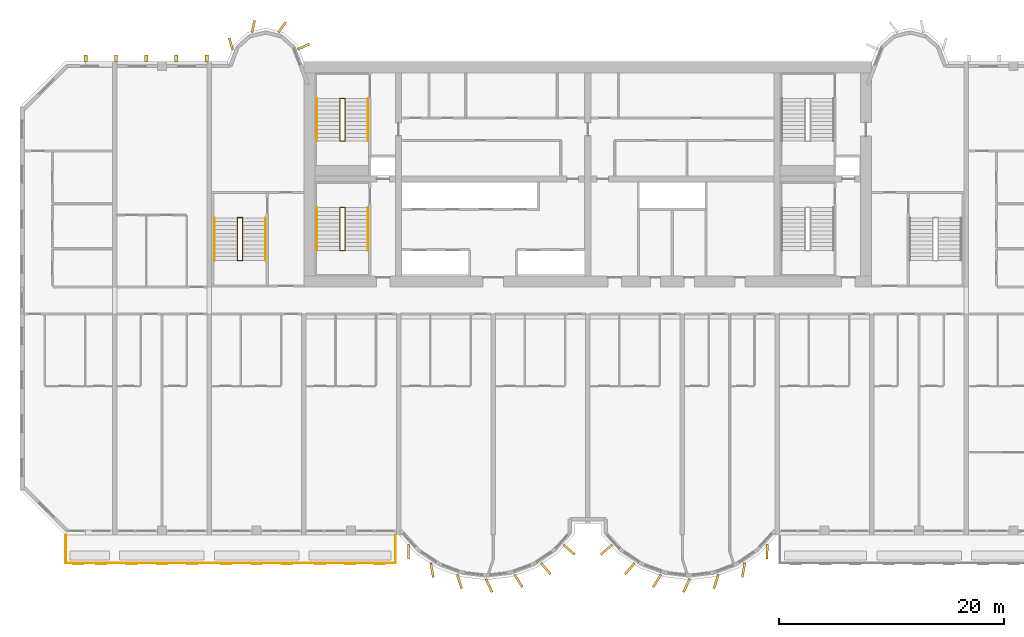
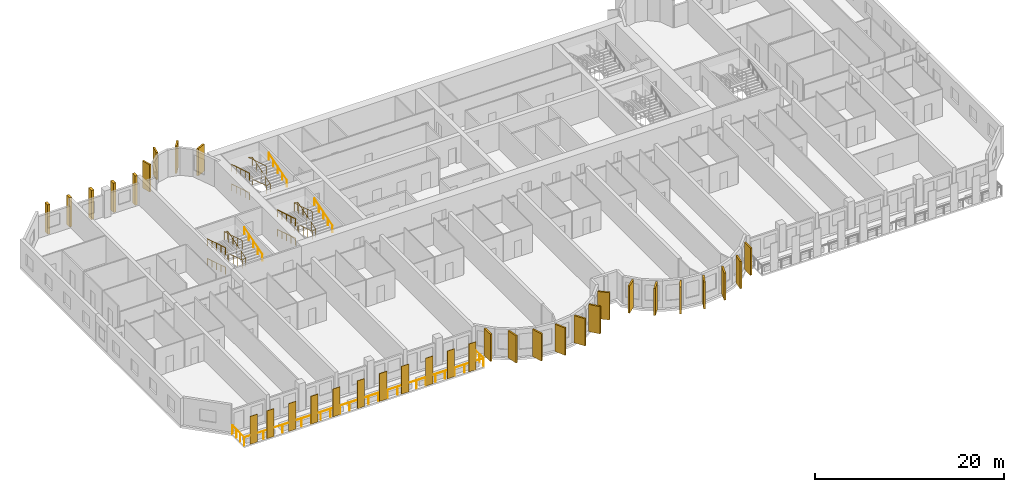
# One storey, part 13 of 15: 34 coverings, 13 railings.
"""IFC4 building model written with IfcOpenShell, lengths in metres."""

from ifc_helpers import new_model, si_unit, direction, frame, origin, origin_2d, place, context, subcontext, project, spatial, rectangle, circle, extrude, source, transform, mapped, material, layer, layer_set, material_profile, profile_set, type_object, element, save


model = new_model("IFC4")

# Units and contexts
model_context = context("Model", 3, precision=1e-05, world=origin(), true_north=direction((0.0, 1.0)))
body_context = subcontext(model_context, "Body", "Model", "MODEL_VIEW")
ifc_project = project(units=[si_unit("LENGTHUNIT", "METRE"), si_unit("AREAUNIT", "SQUARE_METRE"), si_unit("VOLUMEUNIT", "CUBIC_METRE"), si_unit("PLANEANGLEUNIT", "RADIAN"), si_unit("MASSUNIT", "GRAM", prefix="KILO")], contexts=[model_context])

# Site, building, storey
site_placement = place(None, origin())
site = spatial("IfcSite", under=ifc_project, at=site_placement, CompositionType="ELEMENT")
building_placement = place(site_placement, origin())
building = spatial("IfcBuilding", under=site, at=building_placement, Name="Vanashikhar Sky Hotel", CompositionType="ELEMENT")
storey_placement = place(building_placement, frame((0.0, 0.0, 46.800048828125)))
storey = spatial("IfcBuildingStorey", under=building, at=storey_placement, Name="L10", CompositionType="ELEMENT", Elevation=46.800048828125)

# Railing
ifc_material_1 = material(Name="Stainless steel 316", Category="steel")
railing_type_1 = type_object("IfcRailingType", Name="Balcony guard 1100", PredefinedType="GUARDRAIL", material=ifc_material_1)
shared_shape_1 = source(origin(), body_context, "Body", "SweptSolid", [
    extrude(circle(Radius=0.02392578125, at=origin_2d()), frame((0.0, 0.0, 1.076171875), z_axis=(0.0, -1.0, 0.0), x_axis=(1.0, 0.0, 0.0)), (0.0, 0.0, 1.0), 2.5),
    extrude(circle(Radius=0.02392578125, at=origin_2d()), frame((0.0, -2.5, 1.076171875), z_axis=(1.0, 0.0, 0.0), x_axis=(0.0, 1.0, 0.0)), (0.0, 0.0, 1.0), 29.280029296875),
    extrude(circle(Radius=0.02392578125, at=origin_2d()), frame((29.280029296875, -2.5, 1.076171875), z_axis=(0.0, 1.0, 0.0), x_axis=(-1.0, 0.0, 0.0)), (0.0, 0.0, 1.0), 2.5),
    extrude(circle(Radius=0.02099609375, at=origin_2d()), origin(), (0.0, 0.0, 1.0), 1.052001953125),
    extrude(circle(Radius=0.02099609375, at=origin_2d()), frame((0.0, -0.833251953125, 0.0)), (0.0, 0.0, 1.0), 1.052001953125),
    extrude(circle(Radius=0.02099609375, at=origin_2d()), frame((0.0, -1.666748046875, 0.0)), (0.0, 0.0, 1.0), 1.052001953125),
    extrude(circle(Radius=0.02099609375, at=origin_2d()), frame((0.0, -2.5, 0.0)), (0.0, 0.0, 1.0), 1.052001953125),
    extrude(circle(Radius=0.02099609375, at=origin_2d()), frame((1.171142578125, -2.5, 0.0)), (0.0, 0.0, 1.0), 1.052001953125),
    extrude(circle(Radius=0.02099609375, at=origin_2d()), frame((2.34228515625, -2.5, 0.0)), (0.0, 0.0, 1.0), 1.052001953125),
    extrude(circle(Radius=0.02099609375, at=origin_2d()), frame((3.513671875, -2.5, 0.0)), (0.0, 0.0, 1.0), 1.052001953125),
    extrude(circle(Radius=0.02099609375, at=origin_2d()), frame((4.684814453125, -2.5, 0.0)), (0.0, 0.0, 1.0), 1.052001953125),
    extrude(circle(Radius=0.02099609375, at=origin_2d()), frame((5.85595703125, -2.5, 0.0)), (0.0, 0.0, 1.0), 1.052001953125),
    extrude(circle(Radius=0.02099609375, at=origin_2d()), frame((7.027099609375, -2.5, 0.0)), (0.0, 0.0, 1.0), 1.052001953125),
    extrude(circle(Radius=0.02099609375, at=origin_2d()), frame((8.198486328125, -2.5, 0.0)), (0.0, 0.0, 1.0), 1.052001953125),
    extrude(circle(Radius=0.02099609375, at=origin_2d()), frame((9.36962890625, -2.5, 0.0)), (0.0, 0.0, 1.0), 1.052001953125),
    extrude(circle(Radius=0.02099609375, at=origin_2d()), frame((10.540771484375, -2.5, 0.0)), (0.0, 0.0, 1.0), 1.052001953125),
    extrude(circle(Radius=0.02099609375, at=origin_2d()), frame((11.7119140625, -2.5, 0.0)), (0.0, 0.0, 1.0), 1.052001953125),
    extrude(circle(Radius=0.02099609375, at=origin_2d()), frame((12.88330078125, -2.5, 0.0)), (0.0, 0.0, 1.0), 1.052001953125),
    extrude(circle(Radius=0.02099609375, at=origin_2d()), frame((14.054443359375, -2.5, 0.0)), (0.0, 0.0, 1.0), 1.052001953125),
    extrude(circle(Radius=0.02099609375, at=origin_2d()), frame((15.2255859375, -2.5, 0.0)), (0.0, 0.0, 1.0), 1.052001953125),
    extrude(circle(Radius=0.02099609375, at=origin_2d()), frame((16.396728515625, -2.5, 0.0)), (0.0, 0.0, 1.0), 1.052001953125),
    extrude(circle(Radius=0.02099609375, at=origin_2d()), frame((17.568115234375, -2.5, 0.0)), (0.0, 0.0, 1.0), 1.052001953125),
    extrude(circle(Radius=0.02099609375, at=origin_2d()), frame((18.7392578125, -2.5, 0.0)), (0.0, 0.0, 1.0), 1.052001953125),
    extrude(circle(Radius=0.02099609375, at=origin_2d()), frame((19.910400390625, -2.5, 0.0)), (0.0, 0.0, 1.0), 1.052001953125),
    extrude(circle(Radius=0.02099609375, at=origin_2d()), frame((21.08154296875, -2.5, 0.0)), (0.0, 0.0, 1.0), 1.052001953125),
    extrude(circle(Radius=0.02099609375, at=origin_2d()), frame((22.2529296875, -2.5, 0.0)), (0.0, 0.0, 1.0), 1.052001953125),
    extrude(circle(Radius=0.02099609375, at=origin_2d()), frame((23.424072265625, -2.5, 0.0)), (0.0, 0.0, 1.0), 1.052001953125),
    extrude(circle(Radius=0.02099609375, at=origin_2d()), frame((24.59521484375, -2.5, 0.0)), (0.0, 0.0, 1.0), 1.052001953125),
    extrude(circle(Radius=0.02099609375, at=origin_2d()), frame((25.766357421875, -2.5, 0.0)), (0.0, 0.0, 1.0), 1.052001953125),
    extrude(circle(Radius=0.02099609375, at=origin_2d()), frame((26.937744140625, -2.5, 0.0)), (0.0, 0.0, 1.0), 1.052001953125),
    extrude(circle(Radius=0.02099609375, at=origin_2d()), frame((28.10888671875, -2.5, 0.0)), (0.0, 0.0, 1.0), 1.052001953125),
    extrude(circle(Radius=0.02099609375, at=origin_2d()), frame((29.280029296875, -2.5, 0.0)), (0.0, 0.0, 1.0), 1.052001953125),
    extrude(circle(Radius=0.02099609375, at=origin_2d()), frame((29.280029296875, -1.666748046875, 0.0)), (0.0, 0.0, 1.0), 1.052001953125),
    extrude(circle(Radius=0.02099609375, at=origin_2d()), frame((29.280029296875, -0.833251953125, 0.0)), (0.0, 0.0, 1.0), 1.052001953125),
    extrude(circle(Radius=0.02099609375, at=origin_2d()), frame((29.280029296875, 0.0, 0.0)), (0.0, 0.0, 1.0), 1.052001953125),
])
railing_1_placement = place(storey_placement, frame((4.06005859375, 0.0, -0.050048828125)))
element("IfcRailing", 1, at=railing_1_placement, inside=storey, type_object=railing_type_1, Name="Balcony guard", PredefinedType="GUARDRAIL", context=body_context, shape_type="MappedRepresentation", body=[
    mapped(shared_shape_1, transform((0.0, 0.0, 0.0), scale=1.0)),
])

# Coverings
ifc_material_2 = material(Name="Terracotta", Category="masonry")
ifc_layer = layer(ifc_material_2, 0.06005859375)
ifc_layer_set = layer_set([ifc_layer], Name="Terracotta baguette screen")
covering_type_1 = type_object("IfcCoveringType", Name="Terracotta baguette screen", PredefinedType="CLADDING", material=ifc_layer_set)
shared_shape_2 = source(origin(), body_context, "Body", "SweptSolid", [
    extrude(rectangle(XDim=0.89990234375, YDim=0.06005859375, at=origin_2d()), origin(), (0.0, 0.0, 1.0), 3.60009765625),
])
for number, where, z_axis, x_axis, name in (
    (2, (5.175048828125, -2.570068359375, -0.050048828125), (0.0, 0.0, 1.0), (1.0, 0.0, 0.0), "Terracotta screen"),
    (3, (7.22509765625, -2.570068359375, -0.050048828125), (0.0, 0.0, 1.0), (1.0, 0.0, 0.0), "Terracotta screen"),
    (4, (9.89990234375, -2.570068359375, -0.050048828125), (0.0, 0.0, 1.0), (1.0, 0.0, 0.0), "Terracotta screen"),
    (5, (12.60009765625, -2.570068359375, -0.050048828125), (0.0, 0.0, 1.0), (1.0, 0.0, 0.0), "Terracotta screen"),
    (6, (15.300048828125, -2.570068359375, -0.050048828125), (0.0, 0.0, 1.0), (1.0, 0.0, 0.0), "Terracotta screen"),
    (7, (18.300048828125, -2.570068359375, -0.050048828125), (0.0, 0.0, 1.0), (1.0, 0.0, 0.0), "Terracotta screen"),
    (8, (21.0, -2.570068359375, -0.050048828125), (0.0, 0.0, 1.0), (1.0, 0.0, 0.0), "Terracotta screen"),
    (9, (23.699951171875, -2.570068359375, -0.050048828125), (0.0, 0.0, 1.0), (1.0, 0.0, 0.0), "Terracotta screen"),
    (10, (26.666748046875, -2.570068359375, -0.050048828125), (0.0, 0.0, 1.0), (1.0, 0.0, 0.0), "Terracotta screen"),
    (11, (29.300048828125, -2.570068359375, -0.050048828125), (0.0, 0.0, 1.0), (1.0, 0.0, 0.0), "Terracotta screen"),
    (12, (31.933349609375, -2.570068359375, -0.050048828125), (0.0, 0.0, 1.0), (1.0, 0.0, 0.0), "Terracotta screen"),
):
    element("IfcCovering", number, at=place(storey_placement, frame(where, z_axis=z_axis, x_axis=x_axis)), inside=storey, type_object=covering_type_1, Name=name, PredefinedType="CLADDING", context=body_context, shape_type="MappedRepresentation", body=[
        mapped(shared_shape_2, transform((0.0, 0.0, 0.0), scale=1.0)),
    ])
ifc_material_3 = material(Name="Concrete M60 dark", Category="concrete")
ifc_material_profile_1 = material_profile(ifc_material_3, rectangle(XDim=1.300048828125, YDim=0.199951171875, at=origin_2d()))
ifc_profile_set_1 = profile_set([ifc_material_profile_1], Name="Fin 1300 x 200")
covering_type_2 = type_object("IfcCoveringType", Name="Fin 1300 x 200", PredefinedType="CLADDING", material=ifc_profile_set_1)
shared_shape_3 = source(origin(), body_context, "Body", "SweptSolid", [
    extrude(rectangle(XDim=1.300048828125, YDim=0.199951171875, at=origin_2d()), origin(), (0.0, 0.0, 1.0), 3.52001953125),
])
for number, where, z_axis, x_axis, name in (
    (13, (34.482421875, -1.507080078125, 0.0), (0.0, 0.0, 1.0), (0.011588726826, -0.999932848451, 0.0), "Fin F1-1"),
    (14, (36.572509765625, -3.1220703125, 0.0), (0.0, 0.0, 1.0), (0.16989991575, -0.985461322746, 0.0), "Fin F1-2"),
    (15, (39.00830078125, -4.14306640625, 0.0), (0.0, 0.0, 1.0), (0.303966551867, -0.952682704444, 0.0), "Fin F1-3"),
    (16, (41.63232421875, -4.49853515625, 0.0), (0.0, 0.0, 1.0), (0.422618261741, -0.906307787037, 0.0), "Fin F1-4"),
    (17, (44.251953125, -4.083984375, 0.0), (0.0, 0.0, 1.0), (0.534411358496, -0.845224526331, 0.0), "Fin F1-5"),
    (18, (46.676025390625, -3.0, 0.0), (0.0, 0.0, 1.0), (0.645697609467, -0.763593214433, 0.0), "Fin F1-6"),
    (19, (48.7412109375, -1.3154296875, 0.0), (0.0, 0.0, 1.0), (0.758543912032, -0.65162192529, 0.0), "Fin F1-7"),
    (20, (52.058837890625, -1.3154296875, 0.0), (0.0, 0.0, 1.0), (-0.758543912032, -0.65162192529, 0.0), "Fin F2-1"),
    (21, (54.123779296875, -3.0, 0.0), (0.0, 0.0, 1.0), (-0.645697609467, -0.763593214433, 0.0), "Fin F2-2"),
    (22, (56.547119140625, -4.083984375, 0.0), (0.0, 0.0, 1.0), (-0.534411358496, -0.845224526331, 0.0), "Fin F2-3"),
    (23, (59.16748046875, -4.49853515625, 0.0), (0.0, 0.0, 1.0), (-0.422618261741, -0.906307787037, 0.0), "Fin F2-4"),
    (24, (61.790771484375, -4.14306640625, 0.0), (0.0, 0.0, 1.0), (-0.303966551867, -0.952682704444, 0.0), "Fin F2-5"),
    (25, (64.2275390625, -3.1220703125, 0.0), (0.0, 0.0, 1.0), (-0.16989991575, -0.985461322746, 0.0), "Fin F2-6"),
    (26, (66.317626953125, -1.507080078125, 0.0), (0.0, 0.0, 1.0), (-0.011588726826, -0.999932848451, 0.0), "Fin F2-7"),
):
    element("IfcCovering", number, at=place(storey_placement, frame(where, z_axis=z_axis, x_axis=x_axis)), inside=storey, type_object=covering_type_2, Name=name, PredefinedType="CLADDING", context=body_context, shape_type="MappedRepresentation", body=[
        mapped(shared_shape_3, transform((0.0, 0.0, 0.0), scale=1.0)),
    ])
ifc_material_profile_2 = material_profile(ifc_material_3, rectangle(XDim=1.10009765625, YDim=0.199951171875, at=origin_2d()))
ifc_profile_set_2 = profile_set([ifc_material_profile_2], Name="Rear lobe fin 1100 x 200")
covering_type_3 = type_object("IfcCoveringType", Name="Rear lobe fin 1100 x 200", PredefinedType="CLADDING", material=ifc_profile_set_2)
shared_shape_4 = source(origin(), body_context, "Body", "SweptSolid", [
    extrude(rectangle(XDim=1.10009765625, YDim=0.199951171875, at=origin_2d()), origin(), (0.0, 0.0, 1.0), 3.52001953125),
])
for number, where, z_axis, x_axis, name in (
    (27, (18.720703125, 43.580078125, 0.0), (0.0, 0.0, 1.0), (-0.262711264409, 0.964874495234, 0.0), "Fin R1-1"),
    (28, (20.710205078125, 45.1455078125, 0.0), (0.0, 0.0, 1.0), (0.224644935864, 0.974440687159, 0.0), "Fin R1-2"),
    (29, (23.261962890625, 45.06640625, 0.0), (0.0, 0.0, 1.0), (0.602065892195, 0.798446404874, 0.0), "Fin R1-3"),
    (30, (25.169677734375, 43.33447265625, 0.0), (0.0, 0.0, 1.0), (0.908004291068, 0.418960866193, 0.0), "Fin R1-4"),
):
    element("IfcCovering", number, at=place(storey_placement, frame(where, z_axis=z_axis, x_axis=x_axis)), inside=storey, type_object=covering_type_3, Name=name, PredefinedType="CLADDING", context=body_context, shape_type="MappedRepresentation", body=[
        mapped(shared_shape_4, transform((0.0, 0.0, 0.0), scale=1.0)),
    ])
ifc_material_profile_3 = material_profile(ifc_material_3, rectangle(XDim=0.60009765625, YDim=0.300048828125, at=origin_2d()))
ifc_profile_set_3 = profile_set([ifc_material_profile_3], Name="Rear rib 600 x 300")
covering_type_4 = type_object("IfcCoveringType", Name="Rear rib 600 x 300", PredefinedType="CLADDING", material=ifc_profile_set_3)
shared_shape_5 = source(origin(), body_context, "Body", "SweptSolid", [
    extrude(rectangle(XDim=0.60009765625, YDim=0.300048828125, at=origin_2d()), origin(), (0.0, 0.0, 1.0), 3.800048828125),
])
for number, where, z_axis, x_axis, name in (
    (31, (5.840087890625, 42.300048828125, -0.280029296875), (0.0, 0.0, 1.0), (0.0, 1.0, 0.0), "Rear rib"),
    (32, (8.52001953125, 42.300048828125, -0.280029296875), (0.0, 0.0, 1.0), (0.0, 1.0, 0.0), "Rear rib"),
    (33, (11.199951171875, 42.300048828125, -0.280029296875), (0.0, 0.0, 1.0), (0.0, 1.0, 0.0), "Rear rib"),
    (34, (13.8798828125, 42.300048828125, -0.280029296875), (0.0, 0.0, 1.0), (0.0, 1.0, 0.0), "Rear rib"),
    (35, (16.56005859375, 42.300048828125, -0.280029296875), (0.0, 0.0, 1.0), (0.0, 1.0, 0.0), "Rear rib"),
):
    element("IfcCovering", number, at=place(storey_placement, frame(where, z_axis=z_axis, x_axis=x_axis)), inside=storey, type_object=covering_type_4, Name=name, PredefinedType="CLADDING", context=body_context, shape_type="MappedRepresentation", body=[
        mapped(shared_shape_5, transform((0.0, 0.0, 0.0), scale=1.0)),
    ])

# Railings
ifc_material_4 = material(Name="Steel S355", Category="steel")
railing_type_2 = type_object("IfcRailingType", Name="Stair handrail 900", PredefinedType="HANDRAIL", material=ifc_material_4)
shared_shape_6 = source(origin(), body_context, "Body", "SweptSolid", [
    extrude(circle(Radius=0.02392578125, at=origin_2d()), frame((0.0, 0.0, 0.8759765625), z_axis=(0.0, 0.95635109408, 0.292220096591), x_axis=(-1.0, 0.0, 0.0)), (0.0, 0.0, 1.0), 3.973388671875),
    extrude(circle(Radius=0.02099609375, at=origin_2d()), origin(), (0.0, 0.0, 1.0), 0.851806640625),
    extrude(circle(Radius=0.02099609375, at=origin_2d()), frame((0.0, 0.949951171875, 0.290283203125)), (0.0, 0.0, 1.0), 0.851806640625),
    extrude(circle(Radius=0.02099609375, at=origin_2d()), frame((0.0, 1.89990234375, 0.58056640625)), (0.0, 0.0, 1.0), 0.851806640625),
    extrude(circle(Radius=0.02099609375, at=origin_2d()), frame((0.0, 2.85009765625, 0.870849609375)), (0.0, 0.0, 1.0), 0.851806640625),
    extrude(circle(Radius=0.02099609375, at=origin_2d()), frame((0.0, 3.800048828125, 1.1611328125)), (0.0, 0.0, 1.0), 0.851806640625),
])
for number, where, name in (
    (36, (30.89990234375, 25.25, 1.3720703125), "Exit stair 1 handrail"),
    (37, (30.89990234375, 34.949951171875, 1.3720703125), "Exit stair 5 handrail"),
):
    element("IfcRailing", number, at=place(storey_placement, frame(where)), inside=storey, type_object=railing_type_2, Name=name, PredefinedType="HANDRAIL", context=body_context, shape_type="MappedRepresentation", body=[
        mapped(shared_shape_6, transform((0.0, 0.0, 0.0), scale=1.0)),
    ])
shared_shape_7 = source(origin(), body_context, "Body", "SweptSolid", [
    extrude(circle(Radius=0.02392578125, at=origin_2d()), frame((0.0, 0.0, 0.8759765625), z_axis=(0.0, -0.95635109408, 0.292220096591), x_axis=(1.0, 0.0, 0.0)), (0.0, 0.0, 1.0), 3.973388671875),
    extrude(circle(Radius=0.02099609375, at=origin_2d()), origin(), (0.0, 0.0, 1.0), 0.851806640625),
    extrude(circle(Radius=0.02099609375, at=origin_2d()), frame((0.0, -0.949951171875, 0.290283203125)), (0.0, 0.0, 1.0), 0.851806640625),
    extrude(circle(Radius=0.02099609375, at=origin_2d()), frame((0.0, -1.89990234375, 0.58056640625)), (0.0, 0.0, 1.0), 0.851806640625),
    extrude(circle(Radius=0.02099609375, at=origin_2d()), frame((0.0, -2.85009765625, 0.870849609375)), (0.0, 0.0, 1.0), 0.851806640625),
    extrude(circle(Radius=0.02099609375, at=origin_2d()), frame((0.0, -3.800048828125, 1.1611328125)), (0.0, 0.0, 1.0), 0.851806640625),
])
for number, where, name in (
    (38, (26.35009765625, 29.050048828125, 0.10546875), "Exit stair 1 handrail"),
    (39, (26.35009765625, 29.050048828125, 2.638916015625), "Exit stair 1 handrail"),
    (40, (26.35009765625, 38.75, 0.10546875), "Exit stair 5 handrail"),
    (41, (26.35009765625, 38.75, 2.638916015625), "Exit stair 5 handrail"),
):
    element("IfcRailing", number, at=place(storey_placement, frame(where)), inside=storey, type_object=railing_type_2, Name=name, PredefinedType="HANDRAIL", context=body_context, shape_type="MappedRepresentation", body=[
        mapped(shared_shape_7, transform((0.0, 0.0, 0.0), scale=1.0)),
    ])
railing_type_3 = type_object("IfcRailingType", Name="Stair guard 1100", PredefinedType="GUARDRAIL", material=ifc_material_4)
shared_shape_8 = source(origin(), body_context, "Body", "SweptSolid", [
    extrude(circle(Radius=0.02392578125, at=origin_2d()), frame((0.0, 0.0, 1.076171875), z_axis=(-0.973638301096, 0.0, 0.228097476179), x_axis=(0.0, -1.0, 0.0)), (0.0, 0.0, 1.0), 0.46240234375),
    extrude(circle(Radius=0.02392578125, at=origin_2d()), frame((-0.4501953125, 0.0, 1.181640625), z_axis=(0.0, -0.95635109408, 0.292220096591), x_axis=(1.0, 0.0, 0.0)), (0.0, 0.0, 1.0), 3.973388671875),
    extrude(circle(Radius=0.02392578125, at=origin_2d()), frame((-0.4501953125, -3.800048828125, 2.3427734375), z_axis=(0.973638301096, 0.0, 0.228097476179), x_axis=(0.0, 1.0, 0.0)), (0.0, 0.0, 1.0), 0.46240234375),
    extrude(circle(Radius=0.02392578125, at=origin_2d()), frame((0.0, -3.800048828125, 2.4482421875), z_axis=(0.0, 0.95635109408, 0.292220096591), x_axis=(-1.0, 0.0, 0.0)), (0.0, 0.0, 1.0), 3.973388671875),
    extrude(circle(Radius=0.02392578125, at=origin_2d()), frame((0.0, 0.0, 3.609375), z_axis=(-0.973520925263, 0.0, 0.228597917917), x_axis=(0.0, -1.0, 0.0)), (0.0, 0.0, 1.0), 0.46240234375),
    extrude(circle(Radius=0.02392578125, at=origin_2d()), frame((-0.4501953125, 0.0, 3.71484375), z_axis=(0.0, -0.95635109408, 0.292220096591), x_axis=(1.0, 0.0, 0.0)), (0.0, 0.0, 1.0), 3.973388671875),
    extrude(circle(Radius=0.02099609375, at=origin_2d()), origin(), (0.0, 0.0, 1.0), 1.052001953125),
    extrude(circle(Radius=0.02099609375, at=origin_2d()), frame((-0.4501953125, 0.0, 0.10546875)), (0.0, 0.0, 1.0), 1.052001953125),
    extrude(circle(Radius=0.02099609375, at=origin_2d()), frame((-0.4501953125, -0.949951171875, 0.395751953125)), (0.0, 0.0, 1.0), 1.052001953125),
    extrude(circle(Radius=0.02099609375, at=origin_2d()), frame((-0.4501953125, -1.89990234375, 0.68603515625)), (0.0, 0.0, 1.0), 1.052001953125),
    extrude(circle(Radius=0.02099609375, at=origin_2d()), frame((-0.4501953125, -2.85009765625, 0.976318359375)), (0.0, 0.0, 1.0), 1.052001953125),
    extrude(circle(Radius=0.02099609375, at=origin_2d()), frame((-0.4501953125, -3.800048828125, 1.2666015625)), (0.0, 0.0, 1.0), 1.052001953125),
    extrude(circle(Radius=0.02099609375, at=origin_2d()), frame((0.0, -3.800048828125, 1.3720703125)), (0.0, 0.0, 1.0), 1.052001953125),
    extrude(circle(Radius=0.02099609375, at=origin_2d()), frame((0.0, -2.85009765625, 1.662353515625)), (0.0, 0.0, 1.0), 1.052001953125),
    extrude(circle(Radius=0.02099609375, at=origin_2d()), frame((0.0, -1.89990234375, 1.95263671875)), (0.0, 0.0, 1.0), 1.052001953125),
    extrude(circle(Radius=0.02099609375, at=origin_2d()), frame((0.0, -0.949951171875, 2.242919921875)), (0.0, 0.0, 1.0), 1.052001953125),
    extrude(circle(Radius=0.02099609375, at=origin_2d()), frame((0.0, 0.0, 2.533203125)), (0.0, 0.0, 1.0), 1.052001953125),
    extrude(circle(Radius=0.02099609375, at=origin_2d()), frame((-0.4501953125, 0.0, 2.638916015625)), (0.0, 0.0, 1.0), 1.052001953125),
    extrude(circle(Radius=0.02099609375, at=origin_2d()), frame((-0.4501953125, -0.949951171875, 2.92919921875)), (0.0, 0.0, 1.0), 1.052001953125),
    extrude(circle(Radius=0.02099609375, at=origin_2d()), frame((-0.4501953125, -1.89990234375, 3.219482421875)), (0.0, 0.0, 1.0), 1.052001953125),
    extrude(circle(Radius=0.02099609375, at=origin_2d()), frame((-0.4501953125, -2.85009765625, 3.509765625)), (0.0, 0.0, 1.0), 1.052001953125),
    extrude(circle(Radius=0.02099609375, at=origin_2d()), frame((-0.4501953125, -3.800048828125, 3.800048828125)), (0.0, 0.0, 1.0), 1.052001953125),
])
for number, where, name in (
    (42, (28.85009765625, 29.050048828125, 0.0), "Exit stair 1 guard"),
    (43, (28.85009765625, 38.75, 0.0), "Exit stair 5 guard"),
):
    element("IfcRailing", number, at=place(storey_placement, frame(where)), inside=storey, type_object=railing_type_3, Name=name, PredefinedType="GUARDRAIL", context=body_context, shape_type="MappedRepresentation", body=[
        mapped(shared_shape_8, transform((0.0, 0.0, 0.0), scale=1.0)),
    ])
shared_shape_9 = source(origin(), body_context, "Body", "SweptSolid", [
    extrude(circle(Radius=0.02392578125, at=origin_2d()), frame((0.0, 0.0, 0.8759765625), z_axis=(0.0, 0.956345846891, 0.292237268557), x_axis=(-1.0, 0.0, 0.0)), (0.0, 0.0, 1.0), 3.97314453125),
    extrude(circle(Radius=0.02099609375, at=origin_2d()), origin(), (0.0, 0.0, 1.0), 0.851806640625),
    extrude(circle(Radius=0.02099609375, at=origin_2d()), frame((0.0, 0.949951171875, 0.290283203125)), (0.0, 0.0, 1.0), 0.851806640625),
    extrude(circle(Radius=0.02099609375, at=origin_2d()), frame((0.0, 1.89990234375, 0.58056640625)), (0.0, 0.0, 1.0), 0.851806640625),
    extrude(circle(Radius=0.02099609375, at=origin_2d()), frame((0.0, 2.849853515625, 0.870849609375)), (0.0, 0.0, 1.0), 0.851806640625),
    extrude(circle(Radius=0.02099609375, at=origin_2d()), frame((0.0, 3.7998046875, 1.1611328125)), (0.0, 0.0, 1.0), 0.851806640625),
])
railing_2_placement = place(storey_placement, frame((21.800048828125, 24.35009765625, 1.3720703125)))
element("IfcRailing", 44, at=railing_2_placement, inside=storey, type_object=railing_type_2, Name="Exit stair 3 handrail", PredefinedType="HANDRAIL", context=body_context, shape_type="MappedRepresentation", body=[
    mapped(shared_shape_9, transform((0.0, 0.0, 0.0), scale=1.0)),
])
shared_shape_10 = source(origin(), body_context, "Body", "SweptSolid", [
    extrude(circle(Radius=0.02392578125, at=origin_2d()), frame((0.0, 0.0, 0.8759765625), z_axis=(0.0, -0.956345846891, 0.292237268557), x_axis=(1.0, 0.0, 0.0)), (0.0, 0.0, 1.0), 3.97314453125),
    extrude(circle(Radius=0.02099609375, at=origin_2d()), origin(), (0.0, 0.0, 1.0), 0.851806640625),
    extrude(circle(Radius=0.02099609375, at=origin_2d()), frame((0.0, -0.949951171875, 0.290283203125)), (0.0, 0.0, 1.0), 0.851806640625),
    extrude(circle(Radius=0.02099609375, at=origin_2d()), frame((0.0, -1.89990234375, 0.58056640625)), (0.0, 0.0, 1.0), 0.851806640625),
    extrude(circle(Radius=0.02099609375, at=origin_2d()), frame((0.0, -2.849853515625, 0.870849609375)), (0.0, 0.0, 1.0), 0.851806640625),
    extrude(circle(Radius=0.02099609375, at=origin_2d()), frame((0.0, -3.7998046875, 1.1611328125)), (0.0, 0.0, 1.0), 0.851806640625),
])
for number, where, name in (
    (45, (17.25, 28.14990234375, 0.10546875), "Exit stair 3 handrail"),
    (46, (17.25, 28.14990234375, 2.638916015625), "Exit stair 3 handrail"),
):
    element("IfcRailing", number, at=place(storey_placement, frame(where)), inside=storey, type_object=railing_type_2, Name=name, PredefinedType="HANDRAIL", context=body_context, shape_type="MappedRepresentation", body=[
        mapped(shared_shape_10, transform((0.0, 0.0, 0.0), scale=1.0)),
    ])
shared_shape_11 = source(origin(), body_context, "Body", "SweptSolid", [
    extrude(circle(Radius=0.02392578125, at=origin_2d()), frame((0.0, 0.0, 1.076171875), z_axis=(-0.973610808694, 0.0, 0.228214796178), x_axis=(0.0, -1.0, 0.0)), (0.0, 0.0, 1.0), 0.462158203125),
    extrude(circle(Radius=0.02392578125, at=origin_2d()), frame((-0.449951171875, 0.0, 1.181640625), z_axis=(0.0, -0.956345846891, 0.292237268557), x_axis=(1.0, 0.0, 0.0)), (0.0, 0.0, 1.0), 3.97314453125),
    extrude(circle(Radius=0.02392578125, at=origin_2d()), frame((-0.449951171875, -3.7998046875, 2.3427734375), z_axis=(0.973610808694, 0.0, 0.228214796178), x_axis=(0.0, 1.0, 0.0)), (0.0, 0.0, 1.0), 0.462158203125),
    extrude(circle(Radius=0.02392578125, at=origin_2d()), frame((0.0, -3.7998046875, 2.4482421875), z_axis=(0.0, 0.956345846891, 0.292237268557), x_axis=(-1.0, 0.0, 0.0)), (0.0, 0.0, 1.0), 3.97314453125),
    extrude(circle(Radius=0.02392578125, at=origin_2d()), frame((0.0, 0.0, 3.609375), z_axis=(-0.973493315427, 0.0, 0.228715466945), x_axis=(0.0, -1.0, 0.0)), (0.0, 0.0, 1.0), 0.462158203125),
    extrude(circle(Radius=0.02392578125, at=origin_2d()), frame((-0.449951171875, 0.0, 3.71484375), z_axis=(0.0, -0.956345846891, 0.292237268557), x_axis=(1.0, 0.0, 0.0)), (0.0, 0.0, 1.0), 3.97314453125),
    extrude(circle(Radius=0.02099609375, at=origin_2d()), origin(), (0.0, 0.0, 1.0), 1.052001953125),
    extrude(circle(Radius=0.02099609375, at=origin_2d()), frame((-0.449951171875, 0.0, 0.10546875)), (0.0, 0.0, 1.0), 1.052001953125),
    extrude(circle(Radius=0.02099609375, at=origin_2d()), frame((-0.449951171875, -0.949951171875, 0.395751953125)), (0.0, 0.0, 1.0), 1.052001953125),
    extrude(circle(Radius=0.02099609375, at=origin_2d()), frame((-0.449951171875, -1.89990234375, 0.68603515625)), (0.0, 0.0, 1.0), 1.052001953125),
    extrude(circle(Radius=0.02099609375, at=origin_2d()), frame((-0.449951171875, -2.849853515625, 0.976318359375)), (0.0, 0.0, 1.0), 1.052001953125),
    extrude(circle(Radius=0.02099609375, at=origin_2d()), frame((-0.449951171875, -3.7998046875, 1.2666015625)), (0.0, 0.0, 1.0), 1.052001953125),
    extrude(circle(Radius=0.02099609375, at=origin_2d()), frame((0.0, -3.7998046875, 1.3720703125)), (0.0, 0.0, 1.0), 1.052001953125),
    extrude(circle(Radius=0.02099609375, at=origin_2d()), frame((0.0, -2.849853515625, 1.662353515625)), (0.0, 0.0, 1.0), 1.052001953125),
    extrude(circle(Radius=0.02099609375, at=origin_2d()), frame((0.0, -1.89990234375, 1.95263671875)), (0.0, 0.0, 1.0), 1.052001953125),
    extrude(circle(Radius=0.02099609375, at=origin_2d()), frame((0.0, -0.949951171875, 2.242919921875)), (0.0, 0.0, 1.0), 1.052001953125),
    extrude(circle(Radius=0.02099609375, at=origin_2d()), frame((0.0, 0.0, 2.533203125)), (0.0, 0.0, 1.0), 1.052001953125),
    extrude(circle(Radius=0.02099609375, at=origin_2d()), frame((-0.449951171875, 0.0, 2.638916015625)), (0.0, 0.0, 1.0), 1.052001953125),
    extrude(circle(Radius=0.02099609375, at=origin_2d()), frame((-0.449951171875, -0.949951171875, 2.92919921875)), (0.0, 0.0, 1.0), 1.052001953125),
    extrude(circle(Radius=0.02099609375, at=origin_2d()), frame((-0.449951171875, -1.89990234375, 3.219482421875)), (0.0, 0.0, 1.0), 1.052001953125),
    extrude(circle(Radius=0.02099609375, at=origin_2d()), frame((-0.449951171875, -2.849853515625, 3.509765625)), (0.0, 0.0, 1.0), 1.052001953125),
    extrude(circle(Radius=0.02099609375, at=origin_2d()), frame((-0.449951171875, -3.7998046875, 3.800048828125)), (0.0, 0.0, 1.0), 1.052001953125),
])
railing_3_placement = place(storey_placement, frame((19.75, 28.14990234375, 0.0)))
element("IfcRailing", 47, at=railing_3_placement, inside=storey, type_object=railing_type_3, Name="Exit stair 3 guard", PredefinedType="GUARDRAIL", context=body_context, shape_type="MappedRepresentation", body=[
    mapped(shared_shape_11, transform((0.0, 0.0, 0.0), scale=1.0)),
])

save(model, "model.ifc")
